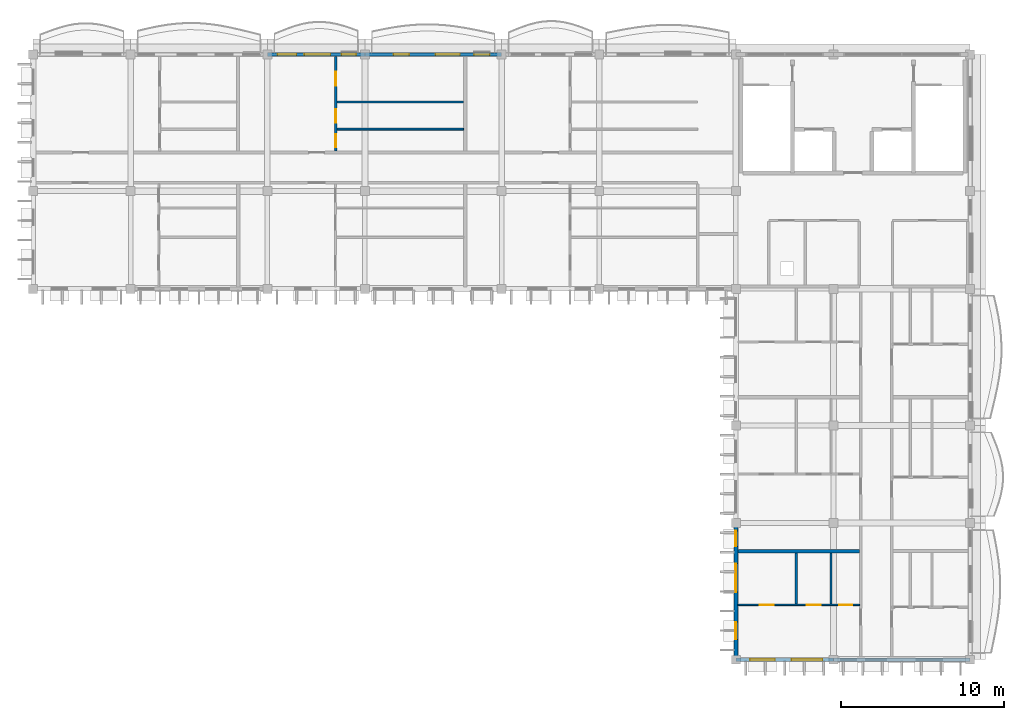
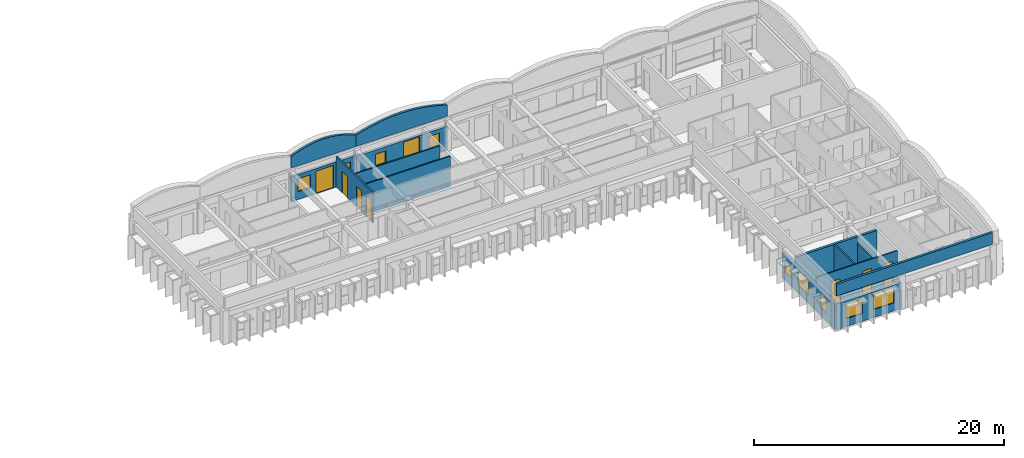
# One storey, part 13 of 28: 14 walls, 9 windows, 8 doors, 17 openings.
"""IFC4 building model written with IfcOpenShell, lengths in metres."""

from ifc_helpers import new_model, si_unit, direction, frame, frame_2d, origin, place, context, subcontext, project, spatial, polyline, rectangle, outline, extrude, material, layer, layer_set, type_object, element, fill, save


model = new_model("IFC4")

# Units and contexts
model_context = context("Model", 3, precision=1e-05, world=origin(), true_north=direction((0.0, 1.0)))
body_context = subcontext(model_context, "Body", "Model", "MODEL_VIEW")
ifc_project = project(units=[si_unit("LENGTHUNIT", "METRE"), si_unit("AREAUNIT", "SQUARE_METRE"), si_unit("VOLUMEUNIT", "CUBIC_METRE"), si_unit("PLANEANGLEUNIT", "RADIAN"), si_unit("MASSUNIT", "GRAM", prefix="KILO"), si_unit("THERMODYNAMICTEMPERATUREUNIT", "KELVIN")], contexts=[model_context])

# Site, building, storey
site_placement = place(None, origin())
site = spatial("IfcSite", under=ifc_project, at=site_placement, CompositionType="ELEMENT")
building_placement = place(site_placement, origin())
building = spatial("IfcBuilding", under=site, at=building_placement, Name="Thalorik Housing Commons", CompositionType="ELEMENT")
storey_placement = place(building_placement, frame((0.0, 0.0, 41.10009765625)))
storey = spatial("IfcBuildingStorey", under=building, at=storey_placement, Name="L12", CompositionType="ELEMENT", Elevation=41.10009765625)

# Wall, openings, door, windows
ifc_material_1 = material(Name="White precast concrete C40/50", Category="concrete")
ifc_layer_1 = layer(ifc_material_1, 0.235107421875, Name="White precast concrete C40/50", Category="concrete")
ifc_layer_set_1 = layer_set([ifc_layer_1], Name="White precast concrete C40/50")
wall_type_1 = type_object("IfcWallType", Name="ARC-WAL-EXT-235", PredefinedType="STANDARD", material=ifc_layer_set_1)
wall_1_placement = place(storey_placement, frame((138.0, 123.60009765625, 0.0), z_axis=(0.0, 0.0, 1.0), x_axis=(-1.0, 0.0, 0.0)))
wall_1 = element("IfcWall", 1, at=wall_1_placement, inside=storey, type_object=wall_type_1, Name="L12 Exterior Wall WAL-EXT-L12-B-0801", PredefinedType="STANDARD", context=body_context, shape_type="SweptSolid", body=[
    extrude(rectangle(XDim=8.39990234375, YDim=0.235107421875, at=frame_2d((4.199951171875, 0.0))), origin(), (0.0, 0.0, 1.0), 2.344970703125),
])
opening_1_placement = place(wall_1_placement, frame((2.56005859375, 0.0, 0.0)))
opening_1 = element("IfcOpeningElement", 2, at=opening_1_placement, cuts=wall_1, Name="Opening ED-0274", PredefinedType="OPENING", context=body_context, shape_type="SweptSolid", body=[
    extrude(rectangle(XDim=1.5, YDim=2.199951171875, at=frame_2d((0.75, 1.10009765625))), frame((0.0, 0.12744140625, 0.0), z_axis=(0.0, -1.0, 0.0), x_axis=(1.0, 0.0, 0.0)), (0.0, 0.0, 1.0), 0.255126953125),
])
opening_2_placement = place(wall_1_placement, frame((0.735107421875, 0.0, 0.780029296875)))
opening_2 = element("IfcOpeningElement", 3, at=opening_2_placement, cuts=wall_1, Name="Opening W-43", PredefinedType="OPENING", context=body_context, shape_type="SweptSolid", body=[
    extrude(rectangle(XDim=0.949951171875, YDim=1.14990234375, at=frame_2d((0.47509765625, 0.574951171875))), frame((0.0, 0.12744140625, 0.0), z_axis=(0.0, -1.0, 0.0), x_axis=(1.0, 0.0, 0.0)), (0.0, 0.0, 1.0), 0.255126953125),
])
opening_3_placement = place(wall_1_placement, frame((5.68505859375, 0.0, 0.780029296875)))
opening_3 = element("IfcOpeningElement", 4, at=opening_3_placement, cuts=wall_1, Name="Opening W-43", PredefinedType="OPENING", context=body_context, shape_type="SweptSolid", body=[
    extrude(rectangle(XDim=0.949951171875, YDim=1.14990234375, at=frame_2d((0.47509765625, 0.574951171875))), frame((0.0, 0.12744140625, 0.0), z_axis=(0.0, -1.0, 0.0), x_axis=(1.0, 0.0, 0.0)), (0.0, 0.0, 1.0), 0.255126953125),
])
ifc_material_2 = material(Name="Anodised aluminium and laminated safety glass", Category="aluminium")
door_type_1 = type_object("IfcDoorType", Name="ARC-DR-BAL-1500", OperationType="NOTDEFINED", PredefinedType="DOOR", material=ifc_material_2)
door_1_placement = place(opening_1_placement, frame((1.5, 0.0, 0.0), z_axis=(0.0, 0.0, 1.0), x_axis=(-1.0, 0.0, 0.0)))
door_1 = element("IfcDoor", 5, at=door_1_placement, inside=storey, type_object=door_type_1, Name="L12 Block B Balcony Glazed Door", OperationType="SLIDING_TO_RIGHT", OverallHeight=2.199951171875, OverallWidth=1.5, PredefinedType="DOOR", context=body_context, shape_type="SweptSolid", body=[
    extrude(rectangle(XDim=1.5, YDim=2.199951171875, at=frame_2d((0.75, 1.10009765625))), frame((0.0, 0.02490234375, 0.0), z_axis=(0.0, -1.0, 0.0), x_axis=(1.0, 0.0, 0.0)), (0.0, 0.0, 1.0), 0.050048828125),
])
fill(opening_1, door_1)
ifc_material_3 = material(Name="Anodised aluminium and solar-control low-E glass", Category="aluminium")
window_type_1 = type_object("IfcWindowType", Name="ARC-WIN-43", PartitioningType="SINGLE_PANEL", PredefinedType="WINDOW", material=ifc_material_3)
window_1_placement = place(opening_2_placement, origin())
window_1 = element("IfcWindow", 6, at=window_1_placement, inside=storey, type_object=window_type_1, Name="L12 Facade Window 1472", OverallHeight=1.14990234375, OverallWidth=0.949951171875, PartitioningType="SINGLE_PANEL", PredefinedType="WINDOW", context=body_context, shape_type="SweptSolid", body=[
    extrude(rectangle(XDim=0.949951171875, YDim=1.14990234375, at=frame_2d((0.47509765625, 0.574951171875))), frame((0.0, 0.030029296875, 0.0), z_axis=(0.0, -1.0, 0.0), x_axis=(1.0, 0.0, 0.0)), (0.0, 0.0, 1.0), 0.06005859375),
])
fill(opening_2, window_1)
window_2_placement = place(opening_3_placement, origin())
window_2 = element("IfcWindow", 7, at=window_2_placement, inside=storey, type_object=window_type_1, Name="L12 Facade Window 1473", OverallHeight=1.14990234375, OverallWidth=0.949951171875, PartitioningType="SINGLE_PANEL", PredefinedType="WINDOW", context=body_context, shape_type="SweptSolid", body=[
    extrude(rectangle(XDim=0.949951171875, YDim=1.14990234375, at=frame_2d((0.47509765625, 0.574951171875))), frame((0.0, 0.030029296875, 0.0), z_axis=(0.0, -1.0, 0.0), x_axis=(1.0, 0.0, 0.0)), (0.0, 0.0, 1.0), 0.06005859375),
])
fill(opening_3, window_2)

wall_2_placement = place(storey_placement, frame((129.60009765625, 123.60009765625, 0.0), z_axis=(0.0, 0.0, 1.0), x_axis=(-1.0, 0.0, 0.0)))
wall_2 = element("IfcWall", 8, at=wall_2_placement, inside=storey, type_object=wall_type_1, Name="L12 Exterior Wall WAL-EXT-L12-B-0802", PredefinedType="STANDARD", context=body_context, shape_type="SweptSolid", body=[
    extrude(rectangle(XDim=6.0, YDim=0.235107421875, at=frame_2d((3.0, 0.0))), origin(), (0.0, 0.0, 1.0), 2.44482421875),
])
opening_4_placement = place(wall_2_placement, frame((2.119140625, 0.0, 0.0)))
opening_4 = element("IfcOpeningElement", 9, at=opening_4_placement, cuts=wall_2, Name="Opening ED-0275", PredefinedType="OPENING", context=body_context, shape_type="SweptSolid", body=[
    extrude(rectangle(XDim=1.60009765625, YDim=2.199951171875, at=frame_2d((0.800048828125, 1.10009765625))), frame((0.0, 0.12744140625, 0.0), z_axis=(0.0, -1.0, 0.0), x_axis=(1.0, 0.0, 0.0)), (0.0, 0.0, 1.0), 0.255126953125),
])
opening_5_placement = place(wall_2_placement, frame((0.53955078125, 0.0, 0.780029296875)))
opening_5 = element("IfcOpeningElement", 10, at=opening_5_placement, cuts=wall_2, Name="Opening W-01", PredefinedType="OPENING", context=body_context, shape_type="SweptSolid", body=[
    extrude(rectangle(XDim=0.89990234375, YDim=1.199951171875, at=frame_2d((0.449951171875, 0.60009765625))), frame((0.0, 0.12744140625, 0.0), z_axis=(0.0, -1.0, 0.0), x_axis=(1.0, 0.0, 0.0)), (0.0, 0.0, 1.0), 0.255126953125),
])
opening_6_placement = place(wall_2_placement, frame((4.214599609375, 0.0, 0.780029296875)))
opening_6 = element("IfcOpeningElement", 11, at=opening_6_placement, cuts=wall_2, Name="Opening W-45", PredefinedType="OPENING", context=body_context, shape_type="SweptSolid", body=[
    extrude(rectangle(XDim=1.14990234375, YDim=1.25, at=frame_2d((0.574951171875, 0.625))), frame((0.0, 0.12744140625, 0.0), z_axis=(0.0, -1.0, 0.0), x_axis=(1.0, 0.0, 0.0)), (0.0, 0.0, 1.0), 0.255126953125),
])
door_type_2 = type_object("IfcDoorType", Name="ARC-DR-BAL-1600", OperationType="NOTDEFINED", PredefinedType="DOOR", material=ifc_material_2)
door_2_placement = place(opening_4_placement, frame((1.60009765625, 0.0, 0.0), z_axis=(0.0, 0.0, 1.0), x_axis=(-1.0, 0.0, 0.0)))
door_2 = element("IfcDoor", 12, at=door_2_placement, inside=storey, type_object=door_type_2, Name="L12 Block B Balcony Glazed Door", OperationType="SLIDING_TO_LEFT", OverallHeight=2.199951171875, OverallWidth=1.60009765625, PredefinedType="DOOR", context=body_context, shape_type="SweptSolid", body=[
    extrude(rectangle(XDim=1.60009765625, YDim=2.199951171875, at=frame_2d((0.800048828125, 1.10009765625))), frame((0.0, 0.02490234375, 0.0), z_axis=(0.0, -1.0, 0.0), x_axis=(1.0, 0.0, 0.0)), (0.0, 0.0, 1.0), 0.050048828125),
])
fill(opening_4, door_2)
window_type_2 = type_object("IfcWindowType", Name="ARC-WIN-01", PartitioningType="SINGLE_PANEL", PredefinedType="WINDOW", material=ifc_material_3)
window_3_placement = place(opening_5_placement, origin())
window_3 = element("IfcWindow", 13, at=window_3_placement, inside=storey, type_object=window_type_2, Name="L12 Facade Window 1474", OverallHeight=1.199951171875, OverallWidth=0.89990234375, PartitioningType="SINGLE_PANEL", PredefinedType="WINDOW", context=body_context, shape_type="SweptSolid", body=[
    extrude(rectangle(XDim=0.89990234375, YDim=1.199951171875, at=frame_2d((0.449951171875, 0.60009765625))), frame((0.0, 0.030029296875, 0.0), z_axis=(0.0, -1.0, 0.0), x_axis=(1.0, 0.0, 0.0)), (0.0, 0.0, 1.0), 0.06005859375),
])
fill(opening_5, window_3)
window_type_3 = type_object("IfcWindowType", Name="ARC-WIN-45", PartitioningType="SINGLE_PANEL", PredefinedType="WINDOW", material=ifc_material_3)
window_4_placement = place(opening_6_placement, origin())
window_4 = element("IfcWindow", 14, at=window_4_placement, inside=storey, type_object=window_type_3, Name="L12 Facade Window 1475", OverallHeight=1.25, OverallWidth=1.14990234375, PartitioningType="SINGLE_PANEL", PredefinedType="WINDOW", context=body_context, shape_type="SweptSolid", body=[
    extrude(rectangle(XDim=1.14990234375, YDim=1.25, at=frame_2d((0.574951171875, 0.625))), frame((0.0, 0.030029296875, 0.0), z_axis=(0.0, -1.0, 0.0), x_axis=(1.0, 0.0, 0.0)), (0.0, 0.0, 1.0), 0.06005859375),
])
fill(opening_6, window_4)

# Wall, openings, windows
wall_3_placement = place(storey_placement, frame((152.39990234375, 94.800048828125, 0.0), z_axis=(0.0, 0.0, 1.0), x_axis=(0.0, -1.0, 0.0)))
wall_3 = element("IfcWall", 15, at=wall_3_placement, inside=storey, type_object=wall_type_1, Name="L12 Exterior Wall WAL-EXT-L12-B-0815", PredefinedType="STANDARD", context=body_context, shape_type="SweptSolid", body=[
    extrude(rectangle(XDim=8.400146484375, YDim=0.235107421875, at=frame_2d((4.2001953125, 0.0))), origin(), (0.0, 0.0, 1.0), 2.4248046875),
])
opening_7_placement = place(wall_3_placement, frame((0.47998046875, 0.0, 0.780029296875)))
opening_7 = element("IfcOpeningElement", 16, at=opening_7_placement, cuts=wall_3, Name="Opening W-43", PredefinedType="OPENING", context=body_context, shape_type="SweptSolid", body=[
    extrude(rectangle(XDim=0.949951171875, YDim=1.14990234375, at=frame_2d((0.47509765625, 0.574951171875))), frame((0.0, 0.12744140625, 0.0), z_axis=(0.0, -1.0, 0.0), x_axis=(1.0, 0.0, 0.0)), (0.0, 0.0, 1.0), 0.255126953125),
])
opening_8_placement = place(wall_3_placement, frame((2.5, 0.0, 0.780029296875)))
opening_8 = element("IfcOpeningElement", 17, at=opening_8_placement, cuts=wall_3, Name="Opening W-17", PredefinedType="OPENING", context=body_context, shape_type="SweptSolid", body=[
    extrude(rectangle(XDim=1.75, YDim=1.449951171875, at=frame_2d((0.875, 0.72509765625))), frame((0.0, 0.12744140625, 0.0), z_axis=(0.0, -1.0, 0.0), x_axis=(1.0, 0.0, 0.0)), (0.0, 0.0, 1.0), 0.255126953125),
])
opening_9_placement = place(wall_3_placement, frame((6.094970703125, 0.0, 0.780029296875)))
opening_9 = element("IfcOpeningElement", 18, at=opening_9_placement, cuts=wall_3, Name="Opening W-44", PredefinedType="OPENING", context=body_context, shape_type="SweptSolid", body=[
    extrude(rectangle(XDim=1.050048828125, YDim=1.199951171875, at=frame_2d((0.52490234375, 0.60009765625))), frame((0.0, 0.12744140625, 0.0), z_axis=(0.0, -1.0, 0.0), x_axis=(1.0, 0.0, 0.0)), (0.0, 0.0, 1.0), 0.255126953125),
])
window_type_4 = type_object("IfcWindowType", Name="ARC-WIN-17", PartitioningType="DOUBLE_PANEL_VERTICAL", PredefinedType="WINDOW", material=ifc_material_3)
window_5_placement = place(opening_8_placement, origin())
window_5 = element("IfcWindow", 19, at=window_5_placement, inside=storey, type_object=window_type_4, Name="L12 Facade Window 1507", OverallHeight=1.449951171875, OverallWidth=1.75, PartitioningType="DOUBLE_PANEL_VERTICAL", PredefinedType="WINDOW", context=body_context, shape_type="SweptSolid", body=[
    extrude(rectangle(XDim=1.75, YDim=1.449951171875, at=frame_2d((0.875, 0.72509765625))), frame((0.0, 0.030029296875, 0.0), z_axis=(0.0, -1.0, 0.0), x_axis=(1.0, 0.0, 0.0)), (0.0, 0.0, 1.0), 0.06005859375),
])
fill(opening_8, window_5)
window_6_placement = place(opening_7_placement, origin())
window_6 = element("IfcWindow", 20, at=window_6_placement, inside=storey, type_object=window_type_1, Name="L12 Facade Window 1506", OverallHeight=1.14990234375, OverallWidth=0.949951171875, PartitioningType="SINGLE_PANEL", PredefinedType="WINDOW", context=body_context, shape_type="SweptSolid", body=[
    extrude(rectangle(XDim=0.949951171875, YDim=1.14990234375, at=frame_2d((0.47509765625, 0.574951171875))), frame((0.0, 0.030029296875, 0.0), z_axis=(0.0, -1.0, 0.0), x_axis=(1.0, 0.0, 0.0)), (0.0, 0.0, 1.0), 0.06005859375),
])
fill(opening_7, window_6)
window_type_5 = type_object("IfcWindowType", Name="ARC-WIN-44", PartitioningType="SINGLE_PANEL", PredefinedType="WINDOW", material=ifc_material_3)
window_7_placement = place(opening_9_placement, origin())
window_7 = element("IfcWindow", 21, at=window_7_placement, inside=storey, type_object=window_type_5, Name="L12 Facade Window 1508", OverallHeight=1.199951171875, OverallWidth=1.050048828125, PartitioningType="SINGLE_PANEL", PredefinedType="WINDOW", context=body_context, shape_type="SweptSolid", body=[
    extrude(rectangle(XDim=1.050048828125, YDim=1.199951171875, at=frame_2d((0.52490234375, 0.60009765625))), frame((0.0, 0.030029296875, 0.0), z_axis=(0.0, -1.0, 0.0), x_axis=(1.0, 0.0, 0.0)), (0.0, 0.0, 1.0), 0.06005859375),
])
fill(opening_9, window_7)

wall_4_placement = place(storey_placement, frame((152.39990234375, 86.39990234375, 0.0), z_axis=(0.0, 0.0, 1.0), x_axis=(1.0, 0.0, 0.0)))
wall_4 = element("IfcWall", 22, at=wall_4_placement, inside=storey, type_object=wall_type_1, Name="L12 Exterior Wall WAL-EXT-L12-B-0816", PredefinedType="STANDARD", context=body_context, shape_type="SweptSolid", body=[
    extrude(rectangle(XDim=6.0, YDim=0.235107421875, at=frame_2d((3.0, 0.0))), origin(), (0.0, 0.0, 1.0), 2.52490234375),
])
opening_10_placement = place(wall_4_placement, frame((0.8701171875, 0.0, 0.780029296875)))
opening_10 = element("IfcOpeningElement", 23, at=opening_10_placement, cuts=wall_4, Name="Opening W-52", PredefinedType="OPENING", context=body_context, shape_type="SweptSolid", body=[
    extrude(rectangle(XDim=1.52001953125, YDim=1.419921875, at=frame_2d((0.760009765625, 0.7099609375))), frame((0.0, 0.12744140625, 0.0), z_axis=(0.0, -1.0, 0.0), x_axis=(1.0, 0.0, 0.0)), (0.0, 0.0, 1.0), 0.255126953125),
])
opening_11_placement = place(wall_4_placement, frame((3.429931640625, 0.0, 0.780029296875)))
opening_11 = element("IfcOpeningElement", 24, at=opening_11_placement, cuts=wall_4, Name="Opening W-59", PredefinedType="OPENING", context=body_context, shape_type="SweptSolid", body=[
    extrude(rectangle(XDim=1.8798828125, YDim=1.52001953125, at=frame_2d((0.93994140625, 0.760009765625))), frame((0.0, 0.12744140625, 0.0), z_axis=(0.0, -1.0, 0.0), x_axis=(1.0, 0.0, 0.0)), (0.0, 0.0, 1.0), 0.255126953125),
])
window_type_6 = type_object("IfcWindowType", Name="ARC-WIN-52", PartitioningType="SINGLE_PANEL", PredefinedType="WINDOW", material=ifc_material_3)
window_8_placement = place(opening_10_placement, origin())
window_8 = element("IfcWindow", 25, at=window_8_placement, inside=storey, type_object=window_type_6, Name="L12 Facade Window 1509", OverallHeight=1.419921875, OverallWidth=1.52001953125, PartitioningType="SINGLE_PANEL", PredefinedType="WINDOW", context=body_context, shape_type="SweptSolid", body=[
    extrude(rectangle(XDim=1.52001953125, YDim=1.419921875, at=frame_2d((0.760009765625, 0.7099609375))), frame((0.0, 0.030029296875, 0.0), z_axis=(0.0, -1.0, 0.0), x_axis=(1.0, 0.0, 0.0)), (0.0, 0.0, 1.0), 0.06005859375),
])
fill(opening_10, window_8)
window_type_7 = type_object("IfcWindowType", Name="ARC-WIN-59", PartitioningType="DOUBLE_PANEL_VERTICAL", PredefinedType="WINDOW", material=ifc_material_3)
window_9_placement = place(opening_11_placement, origin())
window_9 = element("IfcWindow", 26, at=window_9_placement, inside=storey, type_object=window_type_7, Name="L12 Facade Window 1510", OverallHeight=1.52001953125, OverallWidth=1.8798828125, PartitioningType="DOUBLE_PANEL_VERTICAL", PredefinedType="WINDOW", context=body_context, shape_type="SweptSolid", body=[
    extrude(rectangle(XDim=1.8798828125, YDim=1.52001953125, at=frame_2d((0.93994140625, 0.760009765625))), frame((0.0, 0.030029296875, 0.0), z_axis=(0.0, -1.0, 0.0), x_axis=(1.0, 0.0, 0.0)), (0.0, 0.0, 1.0), 0.06005859375),
])
fill(opening_11, window_9)

# Walls
ifc_layer_2 = layer(ifc_material_1, 0.2099609375, Name="White precast concrete C40/50", Category="concrete")
ifc_layer_set_2 = layer_set([ifc_layer_2], Name="White precast concrete C40/50")
wall_type_2 = type_object("IfcWallType", Name="ARC-WAL-PAR-210", PredefinedType="PARAPET", material=ifc_layer_set_2)
wall_5_placement = place(storey_placement, frame((138.0, 123.60009765625, 3.2998046875), z_axis=(0.0, 0.0, 1.0), x_axis=(-1.0, 0.0, 0.0)))
element("IfcWall", 27, at=wall_5_placement, inside=storey, type_object=wall_type_2, Name="L12 Block B Scalloped Arched Roof Parapet 20", PredefinedType="PARAPET", context=body_context, shape_type="SweptSolid", body=[
    extrude(outline(polyline([(0.0, 0.0), (8.39990234375, 0.0), (8.39990234375, 1.1201171875), (7.699951171875, 1.321533203125), (7.0, 1.484619140625), (6.300048828125, 1.617919921875), (5.60009765625, 1.717529296875), (4.89990234375, 1.779296875), (4.199951171875, 1.800048828125), (3.5, 1.779296875), (2.800048828125, 1.717529296875), (2.10009765625, 1.617919921875), (1.39990234375, 1.484619140625), (0.699951171875, 1.321533203125), (0.0, 1.1201171875), (0.0, 0.0)])), frame((0.0, 0.10498046875, 0.0), z_axis=(0.0, -1.0, 0.0), x_axis=(1.0, 0.0, 0.0)), (0.0, 0.0, 1.0), 0.2099609375),
])
wall_6_placement = place(storey_placement, frame((129.60009765625, 123.60009765625, 3.2998046875), z_axis=(0.0, 0.0, 1.0), x_axis=(-1.0, 0.0, 0.0)))
element("IfcWall", 28, at=wall_6_placement, inside=storey, type_object=wall_type_2, Name="L12 Block B Scalloped Arched Roof Parapet 21", PredefinedType="PARAPET", context=body_context, shape_type="SweptSolid", body=[
    extrude(outline(polyline([(0.0, 0.0), (6.0, 0.0), (6.0, 1.1201171875), (5.5, 1.321533203125), (5.0, 1.484619140625), (4.5, 1.617919921875), (4.0, 1.717529296875), (3.5, 1.779296875), (3.0, 1.800048828125), (2.5, 1.779296875), (2.0, 1.717529296875), (1.5, 1.617919921875), (1.0, 1.484619140625), (0.5, 1.321533203125), (0.0, 1.1201171875), (0.0, 0.0)])), frame((0.0, 0.10498046875, 0.0), z_axis=(0.0, -1.0, 0.0), x_axis=(1.0, 0.0, 0.0)), (0.0, 0.0, 1.0), 0.2099609375),
])
wall_7_placement = place(storey_placement, frame((152.39990234375, 86.39990234375, 3.2998046875), z_axis=(0.0, 0.0, 1.0), x_axis=(1.0, 0.0, 0.0)))
element("IfcWall", 29, at=wall_7_placement, inside=storey, type_object=wall_type_2, Name="L12 Block B Roof Parapet 27", PredefinedType="PARAPET", context=body_context, shape_type="SweptSolid", body=[
    extrude(rectangle(XDim=14.400146484375, YDim=0.2099609375, at=frame_2d((7.2001953125, 0.0))), origin(), (0.0, 0.0, 1.0), 1.150146484375),
])

# Wall, openings, doors
ifc_material_4 = material(Name="Gypsum light stud partition", Category="masonry")
ifc_layer_3 = layer(ifc_material_4, 0.10009765625, Name="Gypsum light stud partition", Category="masonry")
ifc_layer_set_3 = layer_set([ifc_layer_3], Name="Gypsum light stud partition")
wall_type_3 = type_object("IfcWallType", Name="ARC-WAL-PART-100", PredefinedType="PARTITIONING", material=ifc_layer_set_3)
wall_8_placement = place(storey_placement, frame((152.51953125, 89.77001953125, 0.0), z_axis=(0.0, 0.0, 1.0), x_axis=(1.0, 0.0, 0.0)))
wall_8 = element("IfcWall", 30, at=wall_8_placement, inside=storey, type_object=wall_type_3, Name="L12 Unit 1 Spine Partition", PredefinedType="PARTITIONING", context=body_context, shape_type="SweptSolid", body=[
    extrude(rectangle(XDim=7.4833984375, YDim=0.10009765625, at=frame_2d((3.74169921875, 0.0))), origin(), (0.0, 0.0, 1.0), 3.0),
])
opening_12_placement = place(wall_8_placement, frame((1.34423828125, 0.0, 0.0)))
opening_12 = element("IfcOpeningElement", 31, at=opening_12_placement, cuts=wall_8, Name="Opening ID-1550", PredefinedType="OPENING", context=body_context, shape_type="SweptSolid", body=[
    extrude(rectangle(XDim=0.85009765625, YDim=2.10009765625, at=frame_2d((0.425048828125, 1.050048828125))), frame((0.0, 0.06005859375, 0.0), z_axis=(0.0, -1.0, 0.0), x_axis=(1.0, 0.0, 0.0)), (0.0, 0.0, 1.0), 0.1201171875),
])
opening_13_placement = place(wall_8_placement, frame((4.239990234375, 0.0, 0.0)))
opening_13 = element("IfcOpeningElement", 32, at=opening_13_placement, cuts=wall_8, Name="Opening ID-1551", PredefinedType="OPENING", context=body_context, shape_type="SweptSolid", body=[
    extrude(rectangle(XDim=0.85009765625, YDim=2.10009765625, at=frame_2d((0.425048828125, 1.050048828125))), frame((0.0, 0.06005859375, 0.0), z_axis=(0.0, -1.0, 0.0), x_axis=(1.0, 0.0, 0.0)), (0.0, 0.0, 1.0), 0.1201171875),
])
opening_14_placement = place(wall_8_placement, frame((6.24609375, 0.0, 0.0)))
opening_14 = element("IfcOpeningElement", 33, at=opening_14_placement, cuts=wall_8, Name="Opening ID-1552", PredefinedType="OPENING", context=body_context, shape_type="SweptSolid", body=[
    extrude(rectangle(XDim=0.800048828125, YDim=2.10009765625, at=frame_2d((0.39990234375, 1.050048828125))), frame((0.0, 0.06005859375, 0.0), z_axis=(0.0, -1.0, 0.0), x_axis=(1.0, 0.0, 0.0)), (0.0, 0.0, 1.0), 0.1201171875),
])
ifc_material_5 = material(Name="Moisture-resistant timber", Category="wood")
door_type_3 = type_object("IfcDoorType", Name="ARC-DR-INT-800", OperationType="NOTDEFINED", PredefinedType="DOOR", material=ifc_material_5)
door_3_placement = place(opening_14_placement, origin())
door_3 = element("IfcDoor", 34, at=door_3_placement, inside=storey, type_object=door_type_3, Name="L12 Accessible Bathroom Door", OperationType="SINGLE_SWING_LEFT", OverallHeight=2.10009765625, OverallWidth=0.800048828125, PredefinedType="DOOR", context=body_context, shape_type="SweptSolid", body=[
    extrude(rectangle(XDim=0.800048828125, YDim=2.10009765625, at=frame_2d((0.39990234375, 1.050048828125))), frame((0.0, 0.02490234375, 0.0), z_axis=(0.0, -1.0, 0.0), x_axis=(1.0, 0.0, 0.0)), (0.0, 0.0, 1.0), 0.050048828125),
])
fill(opening_14, door_3)
ifc_material_6 = material(Name="Engineered oak timber", Category="wood")
door_type_4 = type_object("IfcDoorType", Name="ARC-DR-INT-850", OperationType="NOTDEFINED", PredefinedType="DOOR", material=ifc_material_6)
door_4_placement = place(opening_12_placement, origin())
door_4 = element("IfcDoor", 35, at=door_4_placement, inside=storey, type_object=door_type_4, Name="L12 Children's Bedroom Door", OperationType="SINGLE_SWING_LEFT", OverallHeight=2.10009765625, OverallWidth=0.85009765625, PredefinedType="DOOR", context=body_context, shape_type="SweptSolid", body=[
    extrude(rectangle(XDim=0.85009765625, YDim=2.10009765625, at=frame_2d((0.425048828125, 1.050048828125))), frame((0.0, 0.02490234375, 0.0), z_axis=(0.0, -1.0, 0.0), x_axis=(1.0, 0.0, 0.0)), (0.0, 0.0, 1.0), 0.050048828125),
])
fill(opening_12, door_4)
door_5_placement = place(opening_13_placement, origin())
door_5 = element("IfcDoor", 36, at=door_5_placement, inside=storey, type_object=door_type_4, Name="L12 Eat-In Kitchen Door", OperationType="SINGLE_SWING_RIGHT", OverallHeight=2.10009765625, OverallWidth=0.85009765625, PredefinedType="DOOR", context=body_context, shape_type="SweptSolid", body=[
    extrude(rectangle(XDim=0.85009765625, YDim=2.10009765625, at=frame_2d((0.425048828125, 1.050048828125))), frame((0.0, 0.02490234375, 0.0), z_axis=(0.0, -1.0, 0.0), x_axis=(1.0, 0.0, 0.0)), (0.0, 0.0, 1.0), 0.050048828125),
])
fill(opening_13, door_5)

# Walls
ifc_material_7 = material(Name="Gypsum moisture-resistant partition", Category="masonry")
ifc_layer_4 = layer(ifc_material_7, 0.114990234375, Name="Gypsum moisture-resistant partition", Category="masonry")
ifc_layer_set_4 = layer_set([ifc_layer_4], Name="Gypsum moisture-resistant partition")
wall_type_4 = type_object("IfcWallType", Name="ARC-WAL-PART-115", PredefinedType="PARTITIONING", material=ifc_layer_set_4)
wall_9_placement = place(storey_placement, frame((127.8828125, 119.010498046875, 0.0), z_axis=(0.0, 0.0, 1.0), x_axis=(1.0, 0.0, 0.0)))
element("IfcWall", 37, at=wall_9_placement, inside=storey, type_object=wall_type_4, Name="L12 Unit 2B Wet Wall", PredefinedType="PARTITIONING", context=body_context, shape_type="SweptSolid", body=[
    extrude(rectangle(XDim=7.775146484375, YDim=0.114990234375, at=frame_2d((3.8876953125, 0.0))), origin(), (0.0, 0.0, 1.0), 3.0),
])
ifc_material_8 = material(Name="Gypsum acoustic stud partition", Category="masonry")
ifc_layer_5 = layer(ifc_material_8, 0.125, Name="Gypsum acoustic stud partition", Category="masonry")
ifc_layer_set_5 = layer_set([ifc_layer_5], Name="Gypsum acoustic stud partition")
wall_type_5 = type_object("IfcWallType", Name="ARC-WAL-PART-125", PredefinedType="PARTITIONING", material=ifc_layer_set_5)
wall_10_placement = place(storey_placement, frame((127.8828125, 120.67919921875, 0.0), z_axis=(0.0, 0.0, 1.0), x_axis=(1.0, 0.0, 0.0)))
element("IfcWall", 38, at=wall_10_placement, inside=storey, type_object=wall_type_5, Name="L12 Unit 2B Bedroom Partition", PredefinedType="PARTITIONING", context=body_context, shape_type="SweptSolid", body=[
    extrude(rectangle(XDim=7.775146484375, YDim=0.125, at=frame_2d((3.8876953125, 0.0))), origin(), (0.0, 0.0, 1.0), 3.0),
])
wall_11_placement = place(storey_placement, frame((158.251220703125, 89.822021484375, 0.0), z_axis=(0.0, 0.0, 1.0), x_axis=(0.0, 1.0, 0.0)))
element("IfcWall", 39, at=wall_11_placement, inside=storey, type_object=wall_type_5, Name="L12 Unit 1 Wet Wall", PredefinedType="PARTITIONING", context=body_context, shape_type="SweptSolid", body=[
    extrude(rectangle(XDim=3.14599609375, YDim=0.125, at=frame_2d((1.572998046875, 0.0))), origin(), (0.0, 0.0, 1.0), 2.4248046875),
])

# Wall, openings, doors
ifc_material_9 = material(Name="Ceramic masonry partition wall", Category="masonry")
ifc_layer_6 = layer(ifc_material_9, 0.139892578125, Name="Ceramic masonry partition wall", Category="masonry")
ifc_layer_set_6 = layer_set([ifc_layer_6], Name="Ceramic masonry partition wall")
wall_type_6 = type_object("IfcWallType", Name="ARC-WAL-PART-140", PredefinedType="PARTITIONING", material=ifc_layer_set_6)
wall_12_placement = place(storey_placement, frame((127.810791015625, 117.66455078125, 0.0), z_axis=(0.0, 0.0, 1.0), x_axis=(0.0, 1.0, 0.0)))
wall_12 = element("IfcWall", 40, at=wall_12_placement, inside=storey, type_object=wall_type_6, Name="L12 Unit 2B Spine Partition", PredefinedType="PARTITIONING", context=body_context, shape_type="SweptSolid", body=[
    extrude(rectangle(XDim=5.81591796875, YDim=0.139892578125, at=frame_2d((2.907958984375, 0.0))), origin(), (0.0, 0.0, 1.0), 3.0),
])
opening_15_placement = place(wall_12_placement, frame((0.230712890625, 0.0, 0.0)))
opening_15 = element("IfcOpeningElement", 41, at=opening_15_placement, cuts=wall_12, Name="Opening ID-1535", PredefinedType="OPENING", context=body_context, shape_type="SweptSolid", body=[
    extrude(rectangle(XDim=0.800048828125, YDim=2.10009765625, at=frame_2d((0.39990234375, 1.050048828125))), frame((0.0, 0.080078125, 0.0), z_axis=(0.0, -1.0, 0.0), x_axis=(1.0, 0.0, 0.0)), (0.0, 0.0, 1.0), 0.159912109375),
])
opening_16_placement = place(wall_12_placement, frame((1.75537109375, 0.0, 0.0)))
opening_16 = element("IfcOpeningElement", 42, at=opening_16_placement, cuts=wall_12, Name="Opening ID-1536", PredefinedType="OPENING", context=body_context, shape_type="SweptSolid", body=[
    extrude(rectangle(XDim=0.820068359375, YDim=2.080078125, at=frame_2d((0.41015625, 1.0400390625))), frame((0.0, 0.080078125, 0.0), z_axis=(0.0, -1.0, 0.0), x_axis=(1.0, 0.0, 0.0)), (0.0, 0.0, 1.0), 0.159912109375),
])
opening_17_placement = place(wall_12_placement, frame((4.02001953125, 0.0, 0.0)))
opening_17 = element("IfcOpeningElement", 43, at=opening_17_placement, cuts=wall_12, Name="Opening ID-1537", PredefinedType="OPENING", context=body_context, shape_type="SweptSolid", body=[
    extrude(rectangle(XDim=0.85009765625, YDim=2.10009765625, at=frame_2d((0.425048828125, 1.050048828125))), frame((0.0, 0.080078125, 0.0), z_axis=(0.0, -1.0, 0.0), x_axis=(1.0, 0.0, 0.0)), (0.0, 0.0, 1.0), 0.159912109375),
])
door_6_placement = place(opening_15_placement, origin())
door_6 = element("IfcDoor", 44, at=door_6_placement, inside=storey, type_object=door_type_3, Name="L12 Flat Bathroom Door", OperationType="SINGLE_SWING_RIGHT", OverallHeight=2.10009765625, OverallWidth=0.800048828125, PredefinedType="DOOR", context=body_context, shape_type="SweptSolid", body=[
    extrude(rectangle(XDim=0.800048828125, YDim=2.10009765625, at=frame_2d((0.39990234375, 1.050048828125))), frame((0.0, 0.02490234375, 0.0), z_axis=(0.0, -1.0, 0.0), x_axis=(1.0, 0.0, 0.0)), (0.0, 0.0, 1.0), 0.050048828125),
])
fill(opening_15, door_6)
door_type_5 = type_object("IfcDoorType", Name="ARC-DR-INT-820", OperationType="NOTDEFINED", PredefinedType="DOOR", material=ifc_material_6)
door_7_placement = place(opening_16_placement, origin())
door_7 = element("IfcDoor", 45, at=door_7_placement, inside=storey, type_object=door_type_5, Name="L12 Galley Kitchen Door", OperationType="SINGLE_SWING_LEFT", OverallHeight=2.080078125, OverallWidth=0.820068359375, PredefinedType="DOOR", context=body_context, shape_type="SweptSolid", body=[
    extrude(rectangle(XDim=0.820068359375, YDim=2.080078125, at=frame_2d((0.41015625, 1.0400390625))), frame((0.0, 0.02490234375, 0.0), z_axis=(0.0, -1.0, 0.0), x_axis=(1.0, 0.0, 0.0)), (0.0, 0.0, 1.0), 0.050048828125),
])
fill(opening_16, door_7)
door_8_placement = place(opening_17_placement, origin())
door_8 = element("IfcDoor", 46, at=door_8_placement, inside=storey, type_object=door_type_4, Name="L12 Single Bedroom Door", OperationType="SINGLE_SWING_RIGHT", OverallHeight=2.10009765625, OverallWidth=0.85009765625, PredefinedType="DOOR", context=body_context, shape_type="SweptSolid", body=[
    extrude(rectangle(XDim=0.85009765625, YDim=2.10009765625, at=frame_2d((0.425048828125, 1.050048828125))), frame((0.0, 0.02490234375, 0.0), z_axis=(0.0, -1.0, 0.0), x_axis=(1.0, 0.0, 0.0)), (0.0, 0.0, 1.0), 0.050048828125),
])
fill(opening_17, door_8)

# Walls
wall_13_placement = place(storey_placement, frame((156.11767578125, 89.822021484375, 0.0), z_axis=(0.0, 0.0, 1.0), x_axis=(0.0, 1.0, 0.0)))
element("IfcWall", 47, at=wall_13_placement, inside=storey, type_object=wall_type_6, Name="L12 Unit 1 Bedroom Partition", PredefinedType="PARTITIONING", context=body_context, shape_type="SweptSolid", body=[
    extrude(rectangle(XDim=3.14599609375, YDim=0.139892578125, at=frame_2d((1.572998046875, 0.0))), origin(), (0.0, 0.0, 1.0), 3.0),
])
ifc_material_10 = material(Name="Precast concrete C40/50 acoustic wall", Category="concrete")
ifc_layer_7 = layer(ifc_material_10, 0.219970703125, Name="Precast concrete C40/50 acoustic wall", Category="concrete")
ifc_layer_set_7 = layer_set([ifc_layer_7], Name="Precast concrete C40/50 acoustic wall")
wall_type_7 = type_object("IfcWallType", Name="ARC-WAL-PARTY-220", PredefinedType="PARTITIONING", material=ifc_layer_set_7)
wall_14_placement = place(storey_placement, frame((152.51953125, 93.080078125, 0.0), z_axis=(0.0, 0.0, 1.0), x_axis=(1.0, 0.0, 0.0)))
element("IfcWall", 48, at=wall_14_placement, inside=storey, type_object=wall_type_7, Name="L12 Inter-Tenancy Wall 1A", PredefinedType="PARTITIONING", context=body_context, shape_type="SweptSolid", body=[
    extrude(rectangle(XDim=7.4833984375, YDim=0.219970703125, at=frame_2d((3.74169921875, 0.0))), origin(), (0.0, 0.0, 1.0), 3.0),
])

save(model, "model.ifc")
